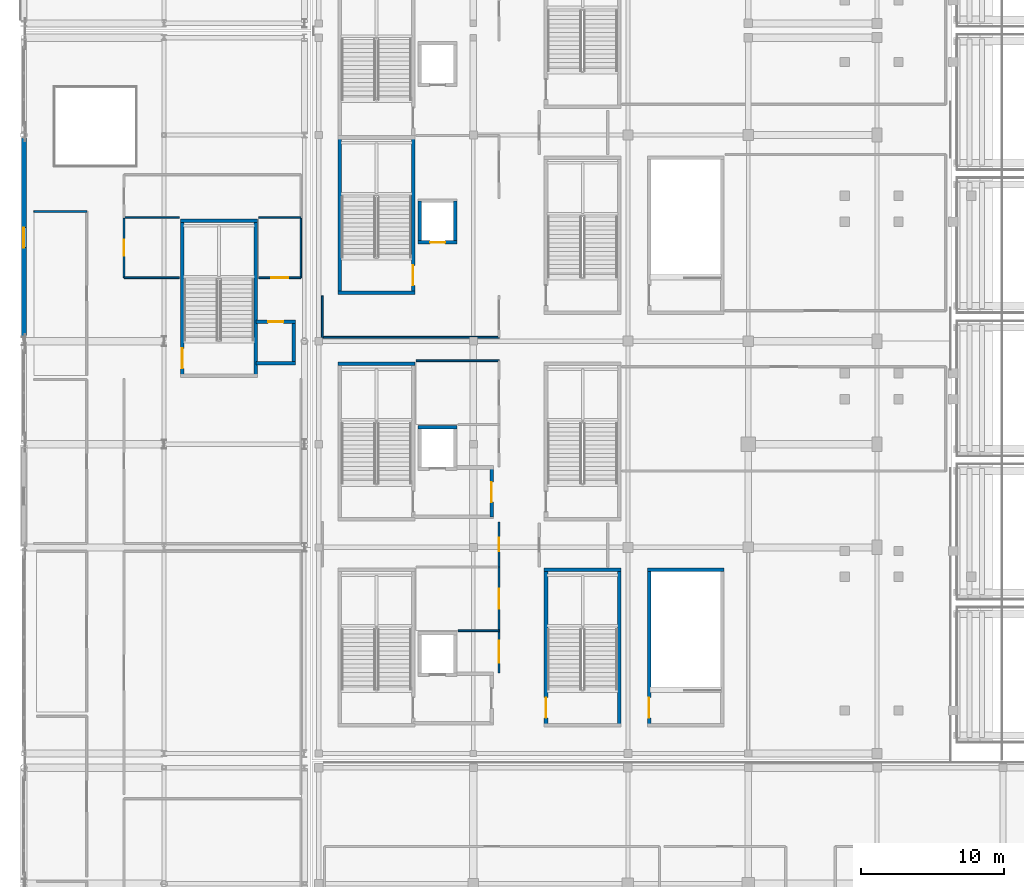
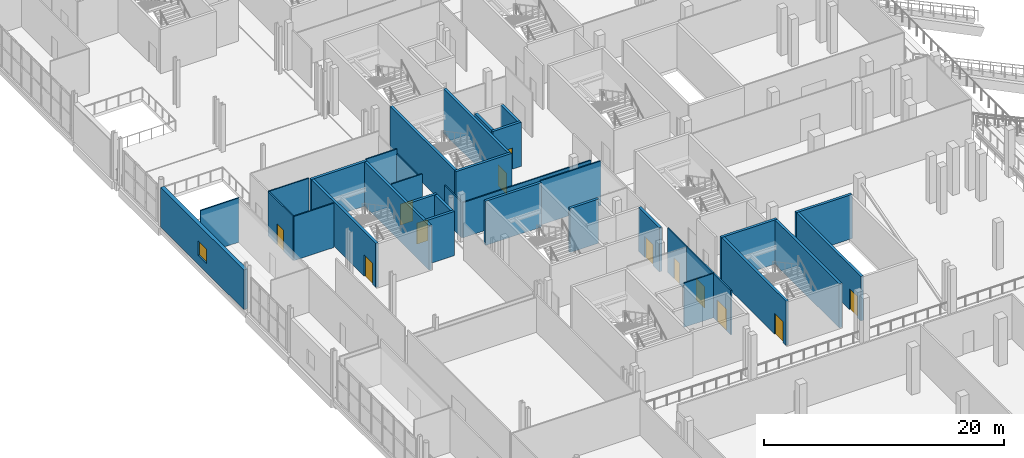
# One storey, part 71 of 129: 35 walls, 12 doors, 1 window, 13 openings.
"""IFC4 building model written with IfcOpenShell, lengths in metres."""

from ifc_helpers import new_model, si_unit, direction, frame, frame_2d, origin, place, context, subcontext, project, spatial, rectangle, extrude, material, layer, layer_set, type_object, element, fill, save


model = new_model("IFC4")

# Units and contexts
model_context = context("Model", 3, precision=1e-05, world=origin(), true_north=direction((0.0, 1.0)))
body_context = subcontext(model_context, "Body", "Model", "MODEL_VIEW")
ifc_project = project(units=[si_unit("LENGTHUNIT", "METRE"), si_unit("AREAUNIT", "SQUARE_METRE"), si_unit("VOLUMEUNIT", "CUBIC_METRE"), si_unit("PLANEANGLEUNIT", "RADIAN"), si_unit("MASSUNIT", "GRAM", prefix="KILO")], contexts=[model_context])

# Site, building, storey
site_placement = place(None, origin())
site = spatial("IfcSite", under=ifc_project, at=site_placement, CompositionType="ELEMENT")
building_placement = place(site_placement, origin())
building = spatial("IfcBuilding", under=site, at=building_placement, Name="Koshinbarg Plaza Stadium", CompositionType="ELEMENT")
storey_placement = place(building_placement, frame((0.0, 0.0, 5.39990234375)))
storey = spatial("IfcBuildingStorey", under=building, at=storey_placement, Name="L01", CompositionType="ELEMENT", Elevation=5.39990234375)

# Walls
ifc_material_1 = material(Name="Concrete C40/50", Category="concrete")
ifc_layer_1 = layer(ifc_material_1, 0.25)
ifc_layer_set_1 = layer_set([ifc_layer_1], Name="Concrete C40/50")
wall_type_1 = type_object("IfcWallType", Name="WL-CORE-250", PredefinedType="SHEAR", material=ifc_layer_set_1)
for number, where, z_axis, x_axis, name in (
    (1, (31.320068359375, 52.72509765625, 0.0), (0.0, 0.0, 1.0), (-1.0, 0.0, 0.0), "L01 core stair shear wall C02-far IWL-L01-0034"),
    (2, (25.949951171875, 57.675048828125, 0.0), (0.0, 0.0, 1.0), (1.0, 0.0, 0.0), "L01 core stair shear wall C03-near IWL-L01-0061"),
):
    element("IfcWall", number, at=place(storey_placement, frame(where, z_axis=z_axis, x_axis=x_axis)), inside=storey, type_object=wall_type_1, Name=name, PredefinedType="SHEAR", context=body_context, shape_type="SweptSolid", body=[
        extrude(rectangle(XDim=5.3701171875, YDim=0.25, at=frame_2d((2.68505859375, 0.0))), origin(), (0.0, 0.0, 1.0), 4.5),
    ])
wall_1_placement = place(storey_placement, frame((26.074951171875, 57.675048828125, 0.0), z_axis=(0.0, 0.0, 1.0), x_axis=(0.0, 1.0, 0.0)))
element("IfcWall", 3, at=wall_1_placement, inside=storey, type_object=wall_type_1, Name="L01 core stair shear wall C03-left IWL-L01-0063", PredefinedType="SHEAR", context=body_context, shape_type="SweptSolid", body=[
    extrude(rectangle(XDim=10.849853515625, YDim=0.25, at=frame_2d((5.4248046875, 0.0))), origin(), (0.0, 0.0, 1.0), 4.5),
])

# Wall, opening, door
wall_2_placement = place(storey_placement, frame((31.195068359375, 57.675048828125, 0.0), z_axis=(0.0, 0.0, 1.0), x_axis=(0.0, 1.0, 0.0)))
wall_2 = element("IfcWall", 4, at=wall_2_placement, inside=storey, type_object=wall_type_1, Name="L01 core stair shear wall C03-right IWL-L01-0064", PredefinedType="SHEAR", context=body_context, shape_type="SweptSolid", body=[
    extrude(rectangle(XDim=10.849853515625, YDim=0.25, at=frame_2d((5.4248046875, 0.0))), origin(), (0.0, 0.0, 1.0), 4.5),
])
opening_1_placement = place(wall_2_placement, frame((0.52001953125, 0.0, 0.0)))
opening_1 = element("IfcOpeningElement", 5, at=opening_1_placement, cuts=wall_2, Name="Opening D-0076", PredefinedType="OPENING", context=body_context, shape_type="SweptSolid", body=[
    extrude(rectangle(XDim=1.39990234375, YDim=2.14990234375, at=frame_2d((0.699951171875, 1.074951171875))), frame((0.0, 0.135009765625, 0.0), z_axis=(0.0, -1.0, 0.0), x_axis=(1.0, 0.0, 0.0)), (0.0, 0.0, 1.0), 0.27001953125),
])
ifc_material_2 = material(Name="Painted galvanized steel fire door", Category="steel")
door_type_1 = type_object("IfcDoorType", Name="DR-STAIR-1400", OperationType="NOTDEFINED", PredefinedType="DOOR", material=ifc_material_2)
door_1_placement = place(opening_1_placement, origin())
door_1 = element("IfcDoor", 6, at=door_1_placement, inside=storey, type_object=door_type_1, Name="L01 exit stair door C03", OperationType="SINGLE_SWING_RIGHT", OverallHeight=2.14990234375, OverallWidth=1.39990234375, PredefinedType="DOOR", context=body_context, shape_type="SweptSolid", body=[
    extrude(rectangle(XDim=1.39990234375, YDim=2.14990234375, at=frame_2d((0.699951171875, 1.074951171875))), frame((0.0, 0.02490234375, 0.0), z_axis=(0.0, -1.0, 0.0), x_axis=(1.0, 0.0, 0.0)), (0.0, 0.0, 1.0), 0.050048828125),
])
fill(opening_1, door_1)

# Wall
wall_3_placement = place(storey_placement, frame((20.320068359375, 62.72509765625, 0.0), z_axis=(0.0, 0.0, 1.0), x_axis=(-1.0, 0.0, 0.0)))
element("IfcWall", 7, at=wall_3_placement, inside=storey, type_object=wall_type_1, Name="L01 core stair shear wall C16-far IWL-L01-0347", PredefinedType="SHEAR", context=body_context, shape_type="SweptSolid", body=[
    extrude(rectangle(XDim=5.3701171875, YDim=0.25, at=frame_2d((2.68505859375, 0.0))), origin(), (0.0, 0.0, 1.0), 4.5),
])

# Wall, opening, door
wall_4_placement = place(storey_placement, frame((15.074951171875, 51.875, 0.0), z_axis=(0.0, 0.0, 1.0), x_axis=(0.0, 1.0, 0.0)))
wall_4 = element("IfcWall", 8, at=wall_4_placement, inside=storey, type_object=wall_type_1, Name="L01 core stair shear wall C16-left IWL-L01-0348", PredefinedType="SHEAR", context=body_context, shape_type="SweptSolid", body=[
    extrude(rectangle(XDim=10.85009765625, YDim=0.25, at=frame_2d((5.425048828125, 0.0))), origin(), (0.0, 0.0, 1.0), 4.5),
])
opening_2_placement = place(wall_4_placement, frame((0.52001953125, 0.0, 0.0)))
opening_2 = element("IfcOpeningElement", 9, at=opening_2_placement, cuts=wall_4, Name="Opening D-0149", PredefinedType="OPENING", context=body_context, shape_type="SweptSolid", body=[
    extrude(rectangle(XDim=1.39990234375, YDim=2.14990234375, at=frame_2d((0.699951171875, 1.074951171875))), frame((0.0, 0.135009765625, 0.0), z_axis=(0.0, -1.0, 0.0), x_axis=(1.0, 0.0, 0.0)), (0.0, 0.0, 1.0), 0.27001953125),
])
door_2_placement = place(opening_2_placement, frame((1.39990234375, 0.0, 0.0), z_axis=(0.0, 0.0, 1.0), x_axis=(-1.0, 0.0, 0.0)))
door_2 = element("IfcDoor", 10, at=door_2_placement, inside=storey, type_object=door_type_1, Name="L01 exit stair door C16", OperationType="SINGLE_SWING_RIGHT", OverallHeight=2.14990234375, OverallWidth=1.39990234375, PredefinedType="DOOR", context=body_context, shape_type="SweptSolid", body=[
    extrude(rectangle(XDim=1.39990234375, YDim=2.14990234375, at=frame_2d((0.699951171875, 1.074951171875))), frame((0.0, 0.02490234375, 0.0), z_axis=(0.0, -1.0, 0.0), x_axis=(1.0, 0.0, 0.0)), (0.0, 0.0, 1.0), 0.050048828125),
])
fill(opening_2, door_2)

# Walls
wall_5_placement = place(storey_placement, frame((20.195068359375, 51.875, 0.0), z_axis=(0.0, 0.0, 1.0), x_axis=(0.0, 1.0, 0.0)))
element("IfcWall", 11, at=wall_5_placement, inside=storey, type_object=wall_type_1, Name="L01 core stair shear wall C16-right IWL-L01-0349", PredefinedType="SHEAR", context=body_context, shape_type="SweptSolid", body=[
    extrude(rectangle(XDim=10.85009765625, YDim=0.25, at=frame_2d((5.425048828125, 0.0))), origin(), (0.0, 0.0, 1.0), 4.5),
])
wall_6_placement = place(storey_placement, frame((45.719970703125, 38.324951171875, 0.0), z_axis=(0.0, 0.0, 1.0), x_axis=(-1.0, 0.0, 0.0)))
element("IfcWall", 12, at=wall_6_placement, inside=storey, type_object=wall_type_1, Name="L01 vomitory stair shear wall VX01-far IWL-L01-0359", PredefinedType="SHEAR", context=body_context, shape_type="SweptSolid", body=[
    extrude(rectangle(XDim=5.369873046875, YDim=0.25, at=frame_2d((2.68505859375, 0.0))), origin(), (0.0, 0.0, 1.0), 4.5),
])

# Wall, opening, door
wall_7_placement = place(storey_placement, frame((40.47509765625, 27.47509765625, 0.0), z_axis=(0.0, 0.0, 1.0), x_axis=(0.0, 1.0, 0.0)))
wall_7 = element("IfcWall", 13, at=wall_7_placement, inside=storey, type_object=wall_type_1, Name="L01 vomitory stair shear wall VX01-left IWL-L01-0360", PredefinedType="SHEAR", context=body_context, shape_type="SweptSolid", body=[
    extrude(rectangle(XDim=10.849853515625, YDim=0.25, at=frame_2d((5.4248046875, 0.0))), origin(), (0.0, 0.0, 1.0), 4.5),
])
opening_3_placement = place(wall_7_placement, frame((0.52001953125, 0.0, 0.0)))
opening_3 = element("IfcOpeningElement", 14, at=opening_3_placement, cuts=wall_7, Name="Opening D-0152", PredefinedType="OPENING", context=body_context, shape_type="SweptSolid", body=[
    extrude(rectangle(XDim=1.39990234375, YDim=2.14990234375, at=frame_2d((0.699951171875, 1.074951171875))), frame((0.0, 0.135009765625, 0.0), z_axis=(0.0, -1.0, 0.0), x_axis=(1.0, 0.0, 0.0)), (0.0, 0.0, 1.0), 0.27001953125),
])
door_3_placement = place(opening_3_placement, frame((1.39990234375, 0.0, 0.0), z_axis=(0.0, 0.0, 1.0), x_axis=(-1.0, 0.0, 0.0)))
door_3 = element("IfcDoor", 15, at=door_3_placement, inside=storey, type_object=door_type_1, Name="L01 vomitory exit stair door VX01", OperationType="SINGLE_SWING_LEFT", OverallHeight=2.14990234375, OverallWidth=1.39990234375, PredefinedType="DOOR", context=body_context, shape_type="SweptSolid", body=[
    extrude(rectangle(XDim=1.39990234375, YDim=2.14990234375, at=frame_2d((0.699951171875, 1.074951171875))), frame((0.0, 0.02490234375, 0.0), z_axis=(0.0, -1.0, 0.0), x_axis=(1.0, 0.0, 0.0)), (0.0, 0.0, 1.0), 0.050048828125),
])
fill(opening_3, door_3)

# Walls
wall_8_placement = place(storey_placement, frame((45.594970703125, 27.47509765625, 0.0), z_axis=(0.0, 0.0, 1.0), x_axis=(0.0, 1.0, 0.0)))
element("IfcWall", 16, at=wall_8_placement, inside=storey, type_object=wall_type_1, Name="L01 vomitory stair shear wall VX01-right IWL-L01-0361", PredefinedType="SHEAR", context=body_context, shape_type="SweptSolid", body=[
    extrude(rectangle(XDim=10.849853515625, YDim=0.25, at=frame_2d((5.4248046875, 0.0))), origin(), (0.0, 0.0, 1.0), 4.5),
])
wall_9_placement = place(storey_placement, frame((52.919921875, 38.324951171875, 0.0), z_axis=(0.0, 0.0, 1.0), x_axis=(-1.0, 0.0, 0.0)))
element("IfcWall", 17, at=wall_9_placement, inside=storey, type_object=wall_type_1, Name="L01 vomitory stair shear wall VL01-far IWL-L01-0551", PredefinedType="SHEAR", context=body_context, shape_type="SweptSolid", body=[
    extrude(rectangle(XDim=5.369873046875, YDim=0.25, at=frame_2d((2.68505859375, 0.0))), origin(), (0.0, 0.0, 1.0), 4.5),
])

# Wall, opening, door
wall_10_placement = place(storey_placement, frame((47.675048828125, 27.47509765625, 0.0), z_axis=(0.0, 0.0, 1.0), x_axis=(0.0, 1.0, 0.0)))
wall_10 = element("IfcWall", 18, at=wall_10_placement, inside=storey, type_object=wall_type_1, Name="L01 vomitory stair shear wall VL01-left IWL-L01-0552", PredefinedType="SHEAR", context=body_context, shape_type="SweptSolid", body=[
    extrude(rectangle(XDim=10.849853515625, YDim=0.25, at=frame_2d((5.4248046875, 0.0))), origin(), (0.0, 0.0, 1.0), 4.5),
])
opening_4_placement = place(wall_10_placement, frame((0.52001953125, 0.0, 0.0)))
opening_4 = element("IfcOpeningElement", 19, at=opening_4_placement, cuts=wall_10, Name="Opening D-0200", PredefinedType="OPENING", context=body_context, shape_type="SweptSolid", body=[
    extrude(rectangle(XDim=1.39990234375, YDim=2.14990234375, at=frame_2d((0.699951171875, 1.074951171875))), frame((0.0, 0.135009765625, 0.0), z_axis=(0.0, -1.0, 0.0), x_axis=(1.0, 0.0, 0.0)), (0.0, 0.0, 1.0), 0.27001953125),
])
door_4_placement = place(opening_4_placement, frame((1.39990234375, 0.0, 0.0), z_axis=(0.0, 0.0, 1.0), x_axis=(-1.0, 0.0, 0.0)))
door_4 = element("IfcDoor", 20, at=door_4_placement, inside=storey, type_object=door_type_1, Name="L01 vomitory exit stair door VL01", OperationType="SINGLE_SWING_LEFT", OverallHeight=2.14990234375, OverallWidth=1.39990234375, PredefinedType="DOOR", context=body_context, shape_type="SweptSolid", body=[
    extrude(rectangle(XDim=1.39990234375, YDim=2.14990234375, at=frame_2d((0.699951171875, 1.074951171875))), frame((0.0, 0.02490234375, 0.0), z_axis=(0.0, -1.0, 0.0), x_axis=(1.0, 0.0, 0.0)), (0.0, 0.0, 1.0), 0.050048828125),
])
fill(opening_4, door_4)

# Wall
wall_11_placement = place(storey_placement, frame((34.27490234375, 48.300048828125, 0.0), z_axis=(0.0, 0.0, 1.0), x_axis=(-1.0, 0.0, 0.0)))
element("IfcWall", 21, at=wall_11_placement, inside=storey, type_object=wall_type_1, Name="L01 lift shaft shear wall FL02-N IWL-L01-0667", PredefinedType="SHEAR", context=body_context, shape_type="SweptSolid", body=[
    extrude(rectangle(XDim=2.75, YDim=0.25, at=frame_2d((1.375, 0.0))), origin(), (0.0, 0.0, 1.0), 4.5),
])

# Wall, opening, door
wall_12_placement = place(storey_placement, frame((36.675048828125, 42.02490234375, 0.0), z_axis=(0.0, 0.0, 1.0), x_axis=(0.0, 1.0, 0.0)))
wall_12 = element("IfcWall", 22, at=wall_12_placement, inside=storey, type_object=wall_type_1, Name="L01 firefighting lobby wall C02-E IWL-L01-0670", PredefinedType="SHEAR", context=body_context, shape_type="SweptSolid", body=[
    extrude(rectangle(XDim=3.4501953125, YDim=0.25, at=frame_2d((1.72509765625, 0.0))), origin(), (0.0, 0.0, 1.0), 4.5),
])
opening_5_placement = place(wall_12_placement, frame((1.02490234375, 0.0, 0.0)))
opening_5 = element("IfcOpeningElement", 23, at=opening_5_placement, cuts=wall_12, Name="Opening D-0232", PredefinedType="OPENING", context=body_context, shape_type="SweptSolid", body=[
    extrude(rectangle(XDim=1.39990234375, YDim=2.14990234375, at=frame_2d((0.699951171875, 1.074951171875))), frame((0.0, 0.135009765625, 0.0), z_axis=(0.0, -1.0, 0.0), x_axis=(1.0, 0.0, 0.0)), (0.0, 0.0, 1.0), 0.27001953125),
])
ifc_material_3 = material(Name="Smoke-sealed steel firefighting lobby door", Category="steel")
door_type_2 = type_object("IfcDoorType", Name="DR-FFLOB-1400", OperationType="NOTDEFINED", PredefinedType="DOOR", material=ifc_material_3)
door_5_placement = place(opening_5_placement, origin())
door_5 = element("IfcDoor", 24, at=door_5_placement, inside=storey, type_object=door_type_2, Name="L01 firefighting lobby fire door C02", OperationType="DOUBLE_DOOR_SINGLE_SWING", OverallHeight=2.14990234375, OverallWidth=1.39990234375, PredefinedType="DOOR", context=body_context, shape_type="SweptSolid", body=[
    extrude(rectangle(XDim=1.39990234375, YDim=2.14990234375, at=frame_2d((0.699951171875, 1.074951171875))), frame((0.0, 0.02490234375, 0.0), z_axis=(0.0, -1.0, 0.0), x_axis=(1.0, 0.0, 0.0)), (0.0, 0.0, 1.0), 0.050048828125),
])
fill(opening_5, door_5)

wall_13_placement = place(storey_placement, frame((31.52490234375, 61.199951171875, 0.0), z_axis=(0.0, 0.0, 1.0), x_axis=(1.0, 0.0, 0.0)))
wall_13 = element("IfcWall", 25, at=wall_13_placement, inside=storey, type_object=wall_type_1, Name="L01 lift shaft shear wall LP01-S IWL-L01-0712", PredefinedType="SHEAR", context=body_context, shape_type="SweptSolid", body=[
    extrude(rectangle(XDim=2.75, YDim=0.25, at=frame_2d((1.375, 0.0))), origin(), (0.0, 0.0, 1.0), 4.5),
])
opening_6_placement = place(wall_13_placement, frame((0.85009765625, 0.0, 0.0)))
opening_6 = element("IfcOpeningElement", 26, at=opening_6_placement, cuts=wall_13, Name="Opening D-0244", PredefinedType="OPENING", context=body_context, shape_type="SweptSolid", body=[
    extrude(rectangle(XDim=1.050048828125, YDim=2.14990234375, at=frame_2d((0.52490234375, 1.074951171875))), frame((0.0, 0.135009765625, 0.0), z_axis=(0.0, -1.0, 0.0), x_axis=(1.0, 0.0, 0.0)), (0.0, 0.0, 1.0), 0.27001953125),
])
ifc_material_4 = material(Name="Brushed stainless steel sliding lift landing door", Category="steel")
door_type_3 = type_object("IfcDoorType", Name="DR-LIFT-1050", OperationType="NOTDEFINED", PredefinedType="DOOR", material=ifc_material_4)
door_6_placement = place(opening_6_placement, origin())
door_6 = element("IfcDoor", 27, at=door_6_placement, inside=storey, type_object=door_type_3, Name="L01 lift landing door LP01", OperationType="SLIDING_TO_RIGHT", OverallHeight=2.14990234375, OverallWidth=1.050048828125, PredefinedType="DOOR", context=body_context, shape_type="SweptSolid", body=[
    extrude(rectangle(XDim=1.050048828125, YDim=2.14990234375, at=frame_2d((0.52490234375, 1.074951171875))), frame((0.0, 0.02490234375, 0.0), z_axis=(0.0, -1.0, 0.0), x_axis=(1.0, 0.0, 0.0)), (0.0, 0.0, 1.0), 0.050048828125),
])
fill(opening_6, door_6)

# Walls
for number, where, z_axis, x_axis, name in (
    (28, (31.64990234375, 64.10009765625, 0.0), (0.0, 0.0, 1.0), (0.0, -1.0, 0.0), "L01 lift shaft shear wall LP01-W IWL-L01-0714"),
    (29, (34.14990234375, 61.199951171875, 0.0), (0.0, 0.0, 1.0), (0.0, 1.0, 0.0), "L01 lift shaft shear wall LP01-E IWL-L01-0715"),
):
    element("IfcWall", number, at=place(storey_placement, frame(where, z_axis=z_axis, x_axis=x_axis)), inside=storey, type_object=wall_type_1, Name=name, PredefinedType="SHEAR", context=body_context, shape_type="SweptSolid", body=[
        extrude(rectangle(XDim=2.900146484375, YDim=0.25, at=frame_2d((1.4501953125, 0.0))), origin(), (0.0, 0.0, 1.0), 4.5),
    ])
wall_14_placement = place(storey_placement, frame((20.22509765625, 52.75, 0.0), z_axis=(0.0, 0.0, 1.0), x_axis=(1.0, 0.0, 0.0)))
element("IfcWall", 30, at=wall_14_placement, inside=storey, type_object=wall_type_1, Name="L01 lift shaft shear wall LP12-S IWL-L01-1042", PredefinedType="SHEAR", context=body_context, shape_type="SweptSolid", body=[
    extrude(rectangle(XDim=2.75, YDim=0.25, at=frame_2d((1.375, 0.0))), origin(), (0.0, 0.0, 1.0), 4.5),
])

# Wall, opening, door
wall_15_placement = place(storey_placement, frame((22.97509765625, 55.64990234375, 0.0), z_axis=(0.0, 0.0, 1.0), x_axis=(-1.0, 0.0, 0.0)))
wall_15 = element("IfcWall", 31, at=wall_15_placement, inside=storey, type_object=wall_type_1, Name="L01 lift shaft shear wall LP12-N IWL-L01-1043", PredefinedType="SHEAR", context=body_context, shape_type="SweptSolid", body=[
    extrude(rectangle(XDim=2.75, YDim=0.25, at=frame_2d((1.375, 0.0))), origin(), (0.0, 0.0, 1.0), 4.5),
])
opening_7_placement = place(wall_15_placement, frame((0.85009765625, 0.0, 0.0)))
opening_7 = element("IfcOpeningElement", 32, at=opening_7_placement, cuts=wall_15, Name="Opening D-0331", PredefinedType="OPENING", context=body_context, shape_type="SweptSolid", body=[
    extrude(rectangle(XDim=1.050048828125, YDim=2.14990234375, at=frame_2d((0.52490234375, 1.074951171875))), frame((0.0, 0.135009765625, 0.0), z_axis=(0.0, -1.0, 0.0), x_axis=(1.0, 0.0, 0.0)), (0.0, 0.0, 1.0), 0.27001953125),
])
door_7_placement = place(opening_7_placement, origin())
door_7 = element("IfcDoor", 33, at=door_7_placement, inside=storey, type_object=door_type_3, Name="L01 lift landing door LP12", OperationType="SLIDING_TO_LEFT", OverallHeight=2.14990234375, OverallWidth=1.050048828125, PredefinedType="DOOR", context=body_context, shape_type="SweptSolid", body=[
    extrude(rectangle(XDim=1.050048828125, YDim=2.14990234375, at=frame_2d((0.52490234375, 1.074951171875))), frame((0.0, 0.02490234375, 0.0), z_axis=(0.0, -1.0, 0.0), x_axis=(1.0, 0.0, 0.0)), (0.0, 0.0, 1.0), 0.050048828125),
])
fill(opening_7, door_7)

# Wall
wall_16_placement = place(storey_placement, frame((22.85009765625, 52.75, 0.0), z_axis=(0.0, 0.0, 1.0), x_axis=(0.0, 1.0, 0.0)))
element("IfcWall", 34, at=wall_16_placement, inside=storey, type_object=wall_type_1, Name="L01 lift shaft shear wall LP12-E IWL-L01-1044", PredefinedType="SHEAR", context=body_context, shape_type="SweptSolid", body=[
    extrude(rectangle(XDim=2.89990234375, YDim=0.25, at=frame_2d((1.449951171875, 0.0))), origin(), (0.0, 0.0, 1.0), 4.5),
])

# Wall, opening, window
ifc_material_5 = material(Name="Acoustic insulated masonry stadium wall", Category="masonry")
ifc_layer_2 = layer(ifc_material_5, 0.35009765625)
ifc_layer_set_2 = layer_set([ifc_layer_2], Name="Acoustic insulated masonry stadium wall")
wall_type_2 = type_object("IfcWallType", Name="WL-EXT-350", PredefinedType="SOLIDWALL", material=ifc_layer_set_2)
wall_17_placement = place(storey_placement, frame((4.0, 54.594970703125, 0.0), z_axis=(0.0, 0.0, 1.0), x_axis=(0.0, 1.0, 0.0)))
wall_17 = element("IfcWall", 35, at=wall_17_placement, inside=storey, type_object=wall_type_2, Name="L01 exterior envelope wall EWL-L01-0075", PredefinedType="SOLIDWALL", context=body_context, shape_type="SweptSolid", body=[
    extrude(rectangle(XDim=13.881591796875, YDim=0.35009765625, at=frame_2d((6.94091796875, 0.0))), origin(), (0.0, 0.0, 1.0), 4.030029296875),
])
opening_8_placement = place(wall_17_placement, frame((6.24072265625, 0.0, 0.89990234375)))
opening_8 = element("IfcOpeningElement", 36, at=opening_8_placement, cuts=wall_17, Name="Opening WN02", PredefinedType="OPENING", context=body_context, shape_type="SweptSolid", body=[
    extrude(rectangle(XDim=1.39990234375, YDim=1.5, at=frame_2d((0.699951171875, 0.75))), frame((0.0, 0.18505859375, 0.0), z_axis=(0.0, -1.0, 0.0), x_axis=(1.0, 0.0, 0.0)), (0.0, 0.0, 1.0), 0.3701171875),
])
ifc_material_6 = material(Name="Solar-control double glazing in thermally broken aluminium frame", Category="aluminium")
window_type = type_object("IfcWindowType", Name="WN-FAC-02", PartitioningType="DOUBLE_PANEL_VERTICAL", PredefinedType="WINDOW", material=ifc_material_6)
window_placement = place(opening_8_placement, origin())
window = element("IfcWindow", 37, at=window_placement, inside=storey, type_object=window_type, Name="L01 facade window 0018", OverallHeight=1.5, OverallWidth=1.39990234375, PartitioningType="SINGLE_PANEL", PredefinedType="WINDOW", context=body_context, shape_type="SweptSolid", body=[
    extrude(rectangle(XDim=1.39990234375, YDim=1.5, at=frame_2d((0.699951171875, 0.75))), frame((0.0, 0.030029296875, 0.0), z_axis=(0.0, -1.0, 0.0), x_axis=(1.0, 0.0, 0.0)), (0.0, 0.0, 1.0), 0.06005859375),
])
fill(opening_8, window)

# Wall, opening, door
ifc_material_7 = material(Name="Gypsum board metal-stud acoustic partition")
ifc_layer_3 = layer(ifc_material_7, 0.1201171875)
ifc_layer_set_3 = layer_set([ifc_layer_3], Name="Gypsum board metal-stud acoustic partition")
wall_type_3 = type_object("IfcWallType", Name="WL-PART-120", PredefinedType="PARTITIONING", material=ifc_layer_set_3)
wall_18_placement = place(storey_placement, frame((37.199951171875, 38.530029296875, 0.0), z_axis=(0.0, 0.0, 1.0), x_axis=(0.0, 1.0, 0.0)))
wall_18 = element("IfcWall", 38, at=wall_18_placement, inside=storey, type_object=wall_type_3, Name="L01 interior partition L01-76-east IWL-L01-1345", PredefinedType="PARTITIONING", context=body_context, shape_type="SweptSolid", body=[
    extrude(rectangle(XDim=3.139892578125, YDim=0.1201171875, at=frame_2d((1.56982421875, 0.0))), origin(), (0.0, 0.0, 1.0), 4.5),
])
opening_9_placement = place(wall_18_placement, frame((1.110107421875, 0.0, 0.0)))
opening_9 = element("IfcOpeningElement", 39, at=opening_9_placement, cuts=wall_18, Name="Opening D-0442", PredefinedType="OPENING", context=body_context, shape_type="SweptSolid", body=[
    extrude(rectangle(XDim=0.919921875, YDim=2.10009765625, at=frame_2d((0.4599609375, 1.050048828125))), frame((0.0, 0.070068359375, 0.0), z_axis=(0.0, -1.0, 0.0), x_axis=(1.0, 0.0, 0.0)), (0.0, 0.0, 1.0), 0.14013671875),
])
ifc_material_8 = material(Name="Solid-core oak veneer acoustic door")
door_type_4 = type_object("IfcDoorType", Name="DR-INT-0920x2100", OperationType="NOTDEFINED", PredefinedType="DOOR", material=ifc_material_8)
door_8_placement = place(opening_9_placement, origin())
door_8 = element("IfcDoor", 40, at=door_8_placement, inside=storey, type_object=door_type_4, Name="L01 Lower Public Concourse door D-0442", OperationType="SINGLE_SWING_RIGHT", OverallHeight=2.10009765625, OverallWidth=0.919921875, PredefinedType="DOOR", context=body_context, shape_type="SweptSolid", body=[
    extrude(rectangle(XDim=0.919921875, YDim=2.10009765625, at=frame_2d((0.4599609375, 1.050048828125))), frame((0.0, 0.02490234375, 0.0), z_axis=(0.0, -1.0, 0.0), x_axis=(1.0, 0.0, 0.0)), (0.0, 0.0, 1.0), 0.050048828125),
])
fill(opening_9, door_8)

wall_19_placement = place(storey_placement, frame((37.199951171875, 34.080078125, 0.0), z_axis=(0.0, 0.0, 1.0), x_axis=(0.0, 1.0, 0.0)))
wall_19 = element("IfcWall", 41, at=wall_19_placement, inside=storey, type_object=wall_type_3, Name="L01 interior partition L01-77-east IWL-L01-1347", PredefinedType="PARTITIONING", context=body_context, shape_type="SweptSolid", body=[
    extrude(rectangle(XDim=4.449951171875, YDim=0.1201171875, at=frame_2d((2.22509765625, 0.0))), origin(), (0.0, 0.0, 1.0), 4.5),
])
opening_10_placement = place(wall_19_placement, frame((1.52490234375, 0.0, 0.0)))
opening_10 = element("IfcOpeningElement", 42, at=opening_10_placement, cuts=wall_19, Name="Opening D-0443", PredefinedType="OPENING", context=body_context, shape_type="SweptSolid", body=[
    extrude(rectangle(XDim=1.39990234375, YDim=2.199951171875, at=frame_2d((0.699951171875, 1.10009765625))), frame((0.0, 0.070068359375, 0.0), z_axis=(0.0, -1.0, 0.0), x_axis=(1.0, 0.0, 0.0)), (0.0, 0.0, 1.0), 0.14013671875),
])
ifc_material_9 = material(Name="Stainless-clad solid-core timber double fire door", Category="wood")
door_type_5 = type_object("IfcDoorType", Name="DR-INT-1400x2200", OperationType="NOTDEFINED", PredefinedType="DOOR", material=ifc_material_9)
door_9_placement = place(opening_10_placement, origin())
door_9 = element("IfcDoor", 43, at=door_9_placement, inside=storey, type_object=door_type_5, Name="L01 Supporters' Club Lounge door D-0443", OperationType="DOUBLE_DOOR_SINGLE_SWING", OverallHeight=2.199951171875, OverallWidth=1.39990234375, PredefinedType="DOOR", context=body_context, shape_type="SweptSolid", body=[
    extrude(rectangle(XDim=1.39990234375, YDim=2.199951171875, at=frame_2d((0.699951171875, 1.10009765625))), frame((0.0, 0.02490234375, 0.0), z_axis=(0.0, -1.0, 0.0), x_axis=(1.0, 0.0, 0.0)), (0.0, 0.0, 1.0), 0.050048828125),
])
fill(opening_10, door_9)

wall_20_placement = place(storey_placement, frame((37.199951171875, 31.1298828125, 0.0), z_axis=(0.0, 0.0, 1.0), x_axis=(0.0, 1.0, 0.0)))
wall_20 = element("IfcWall", 44, at=wall_20_placement, inside=storey, type_object=wall_type_3, Name="L01 interior partition L01-78-east IWL-L01-1349", PredefinedType="PARTITIONING", context=body_context, shape_type="SweptSolid", body=[
    extrude(rectangle(XDim=2.9501953125, YDim=0.1201171875, at=frame_2d((1.47509765625, 0.0))), origin(), (0.0, 0.0, 1.0), 4.5),
])
opening_11_placement = place(wall_20_placement, frame((0.699951171875, 0.0, 0.0)))
opening_11 = element("IfcOpeningElement", 45, at=opening_11_placement, cuts=wall_20, Name="Opening D-0444", PredefinedType="OPENING", context=body_context, shape_type="SweptSolid", body=[
    extrude(rectangle(XDim=1.550048828125, YDim=2.199951171875, at=frame_2d((0.77490234375, 1.10009765625))), frame((0.0, 0.070068359375, 0.0), z_axis=(0.0, -1.0, 0.0), x_axis=(1.0, 0.0, 0.0)), (0.0, 0.0, 1.0), 0.14013671875),
])
ifc_material_10 = material(Name="Toughened laminated glass in aluminium frame", Category="aluminium")
door_type_6 = type_object("IfcDoorType", Name="DR-INT-1550x2200", OperationType="NOTDEFINED", PredefinedType="DOOR", material=ifc_material_10)
door_10_placement = place(opening_11_placement, origin())
door_10 = element("IfcDoor", 46, at=door_10_placement, inside=storey, type_object=door_type_6, Name="L01 West Concourse Dining Hall door D-0444", OperationType="DOUBLE_DOOR_SINGLE_SWING", OverallHeight=2.199951171875, OverallWidth=1.550048828125, PredefinedType="DOOR", context=body_context, shape_type="SweptSolid", body=[
    extrude(rectangle(XDim=1.550048828125, YDim=2.199951171875, at=frame_2d((0.77490234375, 1.10009765625))), frame((0.0, 0.02490234375, 0.0), z_axis=(0.0, -1.0, 0.0), x_axis=(1.0, 0.0, 0.0)), (0.0, 0.0, 1.0), 0.050048828125),
])
fill(opening_11, door_10)

# Walls
wall_21_placement = place(storey_placement, frame((37.199951171875, 34.080078125, 0.0), z_axis=(0.0, 0.0, 1.0), x_axis=(-1.0, 0.0, 0.0)))
element("IfcWall", 47, at=wall_21_placement, inside=storey, type_object=wall_type_3, Name="L01 interior partition L01-78-north IWL-L01-1350", PredefinedType="PARTITIONING", context=body_context, shape_type="SweptSolid", body=[
    extrude(rectangle(XDim=2.869873046875, YDim=0.1201171875, at=frame_2d((1.43505859375, 0.0))), origin(), (0.0, 0.0, 1.0), 4.5),
])
wall_22_placement = place(storey_placement, frame((37.199951171875, 52.929931640625, 0.0), z_axis=(0.0, 0.0, 1.0), x_axis=(-1.0, 0.0, 0.0)))
element("IfcWall", 48, at=wall_22_placement, inside=storey, type_object=wall_type_3, Name="L01 interior partition L01-79-north IWL-L01-1352", PredefinedType="PARTITIONING", context=body_context, shape_type="SweptSolid", body=[
    extrude(rectangle(XDim=5.800048828125, YDim=0.1201171875, at=frame_2d((2.89990234375, 0.0))), origin(), (0.0, 0.0, 1.0), 4.5),
])
wall_23_placement = place(storey_placement, frame((24.844970703125, 54.570068359375, 0.0), z_axis=(0.0, 0.0, 1.0), x_axis=(1.0, 0.0, 0.0)))
element("IfcWall", 49, at=wall_23_placement, inside=storey, type_object=wall_type_3, Name="L01 interior partition L01-82-south IWL-L01-1358", PredefinedType="PARTITIONING", context=body_context, shape_type="SweptSolid", body=[
    extrude(rectangle(XDim=12.35498046875, YDim=0.1201171875, at=frame_2d((6.177490234375, 0.0))), origin(), (0.0, 0.0, 1.0), 3.580078125),
])
wall_24_placement = place(storey_placement, frame((24.844970703125, 57.469970703125, 0.0), z_axis=(0.0, 0.0, 1.0), x_axis=(0.0, -1.0, 0.0)))
element("IfcWall", 50, at=wall_24_placement, inside=storey, type_object=wall_type_3, Name="L01 interior partition L01-82-west IWL-L01-1360", PredefinedType="PARTITIONING", context=body_context, shape_type="SweptSolid", body=[
    extrude(rectangle(XDim=2.89990234375, YDim=0.1201171875, at=frame_2d((1.449951171875, 0.0))), origin(), (0.0, 0.0, 1.0), 3.580078125),
])
wall_25_placement = place(storey_placement, frame((8.39990234375, 63.360107421875, 0.0), z_axis=(0.0, 0.0, 1.0), x_axis=(-1.0, 0.0, 0.0)))
element("IfcWall", 51, at=wall_25_placement, inside=storey, type_object=wall_type_3, Name="L01 interior partition L01-173-north IWL-L01-1607", PredefinedType="PARTITIONING", context=body_context, shape_type="SweptSolid", body=[
    extrude(rectangle(XDim=3.699951171875, YDim=0.1201171875, at=frame_2d((1.85009765625, 0.0))), origin(), (0.0, 0.0, 1.0), 4.5),
])
for number, where, z_axis, x_axis, name in (
    (52, (11.0, 58.72998046875, 0.0), (0.0, 0.0, 1.0), (1.0, 0.0, 0.0), "L01 interior partition L01-176-south IWL-L01-1614"),
    (53, (14.8701171875, 62.929931640625, 0.0), (0.0, 0.0, 1.0), (-1.0, 0.0, 0.0), "L01 interior partition L01-176-north IWL-L01-1615"),
):
    element("IfcWall", number, at=place(storey_placement, frame(where, z_axis=z_axis, x_axis=x_axis)), inside=storey, type_object=wall_type_3, Name=name, PredefinedType="PARTITIONING", context=body_context, shape_type="SweptSolid", body=[
        extrude(rectangle(XDim=3.8701171875, YDim=0.1201171875, at=frame_2d((1.93505859375, 0.0))), origin(), (0.0, 0.0, 1.0), 4.5),
    ])

# Wall, opening, door
wall_26_placement = place(storey_placement, frame((11.0, 62.929931640625, 0.0), z_axis=(0.0, 0.0, 1.0), x_axis=(0.0, -1.0, 0.0)))
wall_26 = element("IfcWall", 54, at=wall_26_placement, inside=storey, type_object=wall_type_3, Name="L01 interior partition L01-176-west IWL-L01-1616", PredefinedType="PARTITIONING", context=body_context, shape_type="SweptSolid", body=[
    extrude(rectangle(XDim=4.199951171875, YDim=0.1201171875, at=frame_2d((2.10009765625, 0.0))), origin(), (0.0, 0.0, 1.0), 4.5),
])
opening_12_placement = place(wall_26_placement, frame((1.5400390625, 0.0, 0.0)))
opening_12 = element("IfcOpeningElement", 55, at=opening_12_placement, cuts=wall_26, Name="Opening D-0542", PredefinedType="OPENING", context=body_context, shape_type="SweptSolid", body=[
    extrude(rectangle(XDim=1.1201171875, YDim=2.14990234375, at=frame_2d((0.56005859375, 1.074951171875))), frame((0.0, 0.070068359375, 0.0), z_axis=(0.0, -1.0, 0.0), x_axis=(1.0, 0.0, 0.0)), (0.0, 0.0, 1.0), 0.14013671875),
])
ifc_material_11 = material(Name="Acoustic timber broadcast studio door", Category="wood")
door_type_7 = type_object("IfcDoorType", Name="DR-INT-1120x2150", OperationType="NOTDEFINED", PredefinedType="DOOR", material=ifc_material_11)
door_11_placement = place(opening_12_placement, origin())
door_11 = element("IfcDoor", 56, at=door_11_placement, inside=storey, type_object=door_type_7, Name="L01 Southwest Shade Arcade Concourse door D-0542", OperationType="SINGLE_SWING_RIGHT", OverallHeight=2.14990234375, OverallWidth=1.1201171875, PredefinedType="DOOR", context=body_context, shape_type="SweptSolid", body=[
    extrude(rectangle(XDim=1.1201171875, YDim=2.14990234375, at=frame_2d((0.56005859375, 1.074951171875))), frame((0.0, 0.02490234375, 0.0), z_axis=(0.0, -1.0, 0.0), x_axis=(1.0, 0.0, 0.0)), (0.0, 0.0, 1.0), 0.050048828125),
])
fill(opening_12, door_11)

wall_27_placement = place(storey_placement, frame((20.39990234375, 58.72998046875, 0.0), z_axis=(0.0, 0.0, 1.0), x_axis=(1.0, 0.0, 0.0)))
wall_27 = element("IfcWall", 57, at=wall_27_placement, inside=storey, type_object=wall_type_3, Name="L01 interior partition L01-177-south IWL-L01-1617", PredefinedType="PARTITIONING", context=body_context, shape_type="SweptSolid", body=[
    extrude(rectangle(XDim=2.955078125, YDim=0.1201171875, at=frame_2d((1.4775390625, 0.0))), origin(), (0.0, 0.0, 1.0), 4.5),
])
opening_13_placement = place(wall_27_placement, frame((0.87744140625, 0.0, 0.0)))
opening_13 = element("IfcOpeningElement", 58, at=opening_13_placement, cuts=wall_27, Name="Opening D-0543", PredefinedType="OPENING", context=body_context, shape_type="SweptSolid", body=[
    extrude(rectangle(XDim=1.199951171875, YDim=2.14990234375, at=frame_2d((0.60009765625, 1.074951171875))), frame((0.0, 0.070068359375, 0.0), z_axis=(0.0, -1.0, 0.0), x_axis=(1.0, 0.0, 0.0)), (0.0, 0.0, 1.0), 0.14013671875),
])
ifc_material_12 = material(Name="Solid-core hardwood leaf in painted steel frame", Category="steel")
door_type_8 = type_object("IfcDoorType", Name="DR-INT-1200x2150", OperationType="NOTDEFINED", PredefinedType="DOOR", material=ifc_material_12)
door_12_placement = place(opening_13_placement, origin())
door_12 = element("IfcDoor", 59, at=door_12_placement, inside=storey, type_object=door_type_8, Name="L01 Media Welcome Lounge door D-0543", OperationType="SINGLE_SWING_LEFT", OverallHeight=2.14990234375, OverallWidth=1.199951171875, PredefinedType="DOOR", context=body_context, shape_type="SweptSolid", body=[
    extrude(rectangle(XDim=1.199951171875, YDim=2.14990234375, at=frame_2d((0.60009765625, 1.074951171875))), frame((0.0, 0.02490234375, 0.0), z_axis=(0.0, -1.0, 0.0), x_axis=(1.0, 0.0, 0.0)), (0.0, 0.0, 1.0), 0.050048828125),
])
fill(opening_13, door_12)

# Walls
wall_28_placement = place(storey_placement, frame((23.35498046875, 58.72998046875, 0.0), z_axis=(0.0, 0.0, 1.0), x_axis=(0.0, 1.0, 0.0)))
element("IfcWall", 60, at=wall_28_placement, inside=storey, type_object=wall_type_3, Name="L01 interior partition L01-177-east IWL-L01-1618", PredefinedType="PARTITIONING", context=body_context, shape_type="SweptSolid", body=[
    extrude(rectangle(XDim=4.199951171875, YDim=0.1201171875, at=frame_2d((2.10009765625, 0.0))), origin(), (0.0, 0.0, 1.0), 4.030029296875),
])
wall_29_placement = place(storey_placement, frame((23.35498046875, 62.929931640625, 0.0), z_axis=(0.0, 0.0, 1.0), x_axis=(-1.0, 0.0, 0.0)))
element("IfcWall", 61, at=wall_29_placement, inside=storey, type_object=wall_type_3, Name="L01 interior partition L01-177-north IWL-L01-1619", PredefinedType="PARTITIONING", context=body_context, shape_type="SweptSolid", body=[
    extrude(rectangle(XDim=2.955078125, YDim=0.1201171875, at=frame_2d((1.4775390625, 0.0))), origin(), (0.0, 0.0, 1.0), 4.5),
])

save(model, "model.ifc")
